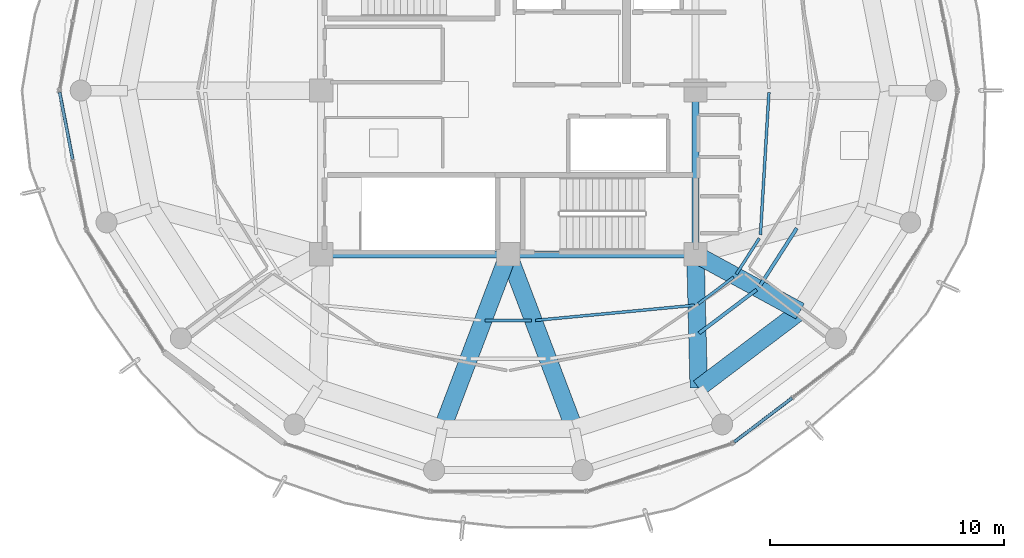
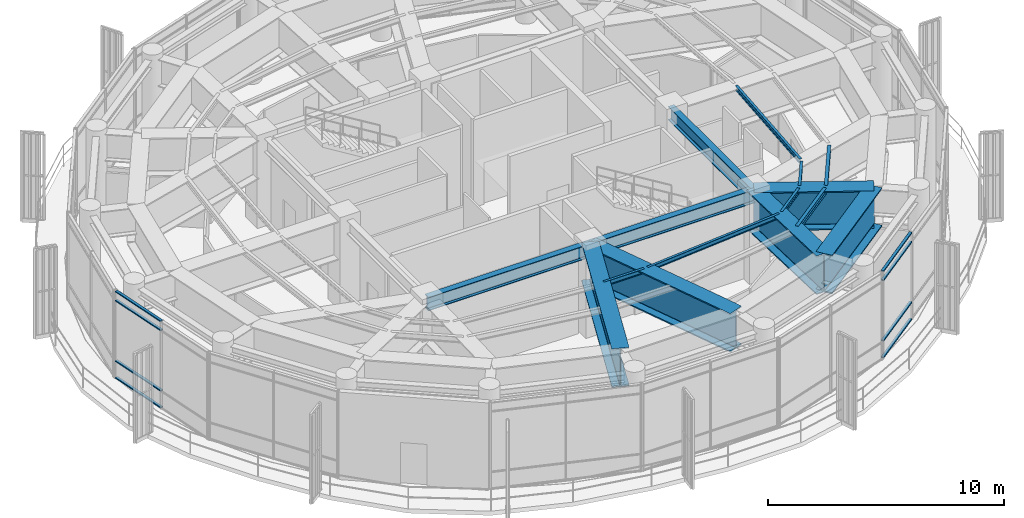
# One storey, part 6 of 23: 15 beams, 8 members, 2 elements without a shape of their own.
"""IFC4 building model written with IfcOpenShell, lengths in metres."""

from ifc_helpers import new_model, si_unit, direction, frame, origin, origin_2d, place, context, subcontext, project, spatial, hollow_rectangle, i_section, extrude, material, layer, layer_set, material_profile, profile_set, type_object, element, aggregate, save


model = new_model("IFC4")

# Units and contexts
model_context = context("Model", 3, precision=1e-05, world=origin(), true_north=direction((0.0, 1.0)))
body_context = subcontext(model_context, "Body", "Model", "MODEL_VIEW")
ifc_project = project(units=[si_unit("LENGTHUNIT", "METRE"), si_unit("AREAUNIT", "SQUARE_METRE"), si_unit("VOLUMEUNIT", "CUBIC_METRE"), si_unit("PLANEANGLEUNIT", "RADIAN"), si_unit("MASSUNIT", "GRAM", prefix="KILO")], contexts=[model_context])

# Site, building, storey
site_placement = place(None, origin())
site = spatial("IfcSite", under=ifc_project, at=site_placement, CompositionType="ELEMENT")
building_placement = place(site_placement, origin())
building = spatial("IfcBuilding", under=site, at=building_placement, Name="Kelanora Arch Commons", CompositionType="ELEMENT")
storey_placement = place(building_placement, frame((0.0, 0.0, 293.699951171875)))
storey = spatial("IfcBuildingStorey", under=building, at=storey_placement, Name="L75", CompositionType="ELEMENT", Elevation=293.699951171875)

# Beams
ifc_material_1 = material(Name="Steel S355", Category="steel")
ifc_material_profile_1 = material_profile(ifc_material_1, i_section(OverallWidth=0.300048828125, OverallDepth=0.699951171875, WebThickness=0.01708984375, FlangeThickness=0.031982421875, FilletRadius=0.027099609375, at=origin_2d()), Name="HEB700")
ifc_profile_set_1 = profile_set([ifc_material_profile_1], Name="Steel S355")
beam_type_1 = type_object("IfcBeamType", Name="BM-CORE-HDR", PredefinedType="BEAM", material=ifc_profile_set_1)
for number, where, z_axis, x_axis, name in (
    (1, (66.0, 51.0, 4.18994140625), (1.0, 0.0, 0.0), (0.0, 1.0, 0.0), "Core Header Beam 01 L75"),
    (2, (74.0, 51.0, 4.18994140625), (1.0, 0.0, 0.0), (0.0, 1.0, 0.0), "Core Header Beam 02 L75"),
):
    element("IfcBeam", number, at=place(storey_placement, frame(where, z_axis=z_axis, x_axis=x_axis)), inside=storey, type_object=beam_type_1, Name=name, PredefinedType="BEAM", context=body_context, shape_type="SweptSolid", body=[
        extrude(i_section(OverallWidth=0.300048828125, OverallDepth=0.699951171875, WebThickness=0.01708984375, FlangeThickness=0.031982421875, FilletRadius=0.027099609375, at=origin_2d()), origin(), (0.0, 0.0, 1.0), 8.0),
    ])
beam_1_placement = place(storey_placement, frame((82.0, 51.0, 4.18994140625), z_axis=(0.0, 1.0, 0.0), x_axis=(-1.0, 0.0, 0.0)))
element("IfcBeam", 3, at=beam_1_placement, inside=storey, type_object=beam_type_1, Name="Core Header Beam 03 L75", PredefinedType="BEAM", context=body_context, shape_type="SweptSolid", body=[
    extrude(i_section(OverallWidth=0.300048828125, OverallDepth=0.699951171875, WebThickness=0.01708984375, FlangeThickness=0.031982421875, FilletRadius=0.027099609375, at=origin_2d()), origin(), (0.0, 0.0, 1.0), 7.0),
])
ifc_material_profile_2 = material_profile(ifc_material_1, i_section(OverallWidth=0.14990234375, OverallDepth=0.300048828125, WebThickness=0.007080078125, FlangeThickness=0.0107421875, FilletRadius=0.014892578125, at=origin_2d()), Name="IPE300")
ifc_profile_set_2 = profile_set([ifc_material_profile_2], Name="Steel S355")
beam_type_2 = type_object("IfcBeamType", Name="BM-JST-01", PredefinedType="JOIST", material=ifc_profile_set_2)
beam_2_placement = place(storey_placement, frame((82.15185546875, 47.623291015625, 4.39013671875), z_axis=(0.797441333972, 0.603396485632, 0.0), x_axis=(-0.603396485632, 0.797441333972, 0.0)))
element("IfcBeam", 4, at=beam_2_placement, inside=storey, type_object=beam_type_2, Name="Secondary Chord Joist BJB-30 L75", PredefinedType="JOIST", context=body_context, shape_type="SweptSolid", body=[
    extrude(i_section(OverallWidth=0.14990234375, OverallDepth=0.300048828125, WebThickness=0.007080078125, FlangeThickness=0.0107421875, FilletRadius=0.014892578125, at=origin_2d()), origin(), (0.0, 0.0, 1.0), 3.0888671875),
])
beam_3_placement = place(storey_placement, frame((84.728515625, 49.60986328125, 4.39013671875), z_axis=(0.539193378054, 0.84218198809, 0.0), x_axis=(-0.84218198809, 0.539193378054, 0.0)))
element("IfcBeam", 5, at=beam_3_placement, inside=storey, type_object=beam_type_2, Name="Secondary Chord Joist BJB-32 L75", PredefinedType="JOIST", context=body_context, shape_type="SweptSolid", body=[
    extrude(i_section(OverallWidth=0.14990234375, OverallDepth=0.300048828125, WebThickness=0.007080078125, FlangeThickness=0.0107421875, FilletRadius=0.014892578125, at=origin_2d()), origin(), (0.0, 0.0, 1.0), 2.975830078125),
])
ifc_material_profile_3 = material_profile(ifc_material_1, i_section(OverallWidth=0.1201171875, OverallDepth=0.239990234375, WebThickness=0.006103515625, FlangeThickness=0.009765625, FilletRadius=0.014892578125, at=origin_2d()), Name="IPE240")
ifc_profile_set_3 = profile_set([ifc_material_profile_3], Name="Steel S355")
beam_type_3 = type_object("IfcBeamType", Name="BM-JST-02", PredefinedType="JOIST", material=ifc_profile_set_3)
beam_4_placement = place(storey_placement, frame((73.0107421875, 48.166259765625, 4.420166015625), z_axis=(1.0, 0.0, 0.0), x_axis=(0.0, 1.0, 0.0)))
element("IfcBeam", 6, at=beam_4_placement, inside=storey, type_object=beam_type_3, Name="Secondary Chord Joist BJA-26 L75", PredefinedType="JOIST", context=body_context, shape_type="SweptSolid", body=[
    extrude(i_section(OverallWidth=0.1201171875, OverallDepth=0.239990234375, WebThickness=0.006103515625, FlangeThickness=0.009765625, FilletRadius=0.014892578125, at=origin_2d()), origin(), (0.0, 0.0, 1.0), 1.978515625),
])
beam_5_placement = place(storey_placement, frame((75.158935546875, 48.17431640625, 4.420166015625), z_axis=(0.995523661296, 0.094512643594, 0.0), x_axis=(-0.094512643594, 0.995523661296, 0.0)))
element("IfcBeam", 7, at=beam_5_placement, inside=storey, type_object=beam_type_3, Name="Secondary Chord Joist BJA-28 L75", PredefinedType="JOIST", context=body_context, shape_type="SweptSolid", body=[
    extrude(i_section(OverallWidth=0.1201171875, OverallDepth=0.239990234375, WebThickness=0.006103515625, FlangeThickness=0.009765625, FilletRadius=0.014892578125, at=origin_2d()), origin(), (0.0, 0.0, 1.0), 6.840087890625),
])
beam_6_placement = place(storey_placement, frame((82.12109375, 48.880126953125, 4.420166015625), z_axis=(0.797424826317, 0.603418301324, 0.0), x_axis=(-0.603418301324, 0.797424826317, 0.0)))
element("IfcBeam", 8, at=beam_6_placement, inside=storey, type_object=beam_type_3, Name="Secondary Chord Joist BJA-30 L75", PredefinedType="JOIST", context=body_context, shape_type="SweptSolid", body=[
    extrude(i_section(OverallWidth=0.1201171875, OverallDepth=0.239990234375, WebThickness=0.006103515625, FlangeThickness=0.009765625, FilletRadius=0.014892578125, at=origin_2d()), origin(), (0.0, 0.0, 1.0), 1.893798828125),
])
beam_7_placement = place(storey_placement, frame((83.744873046875, 50.14599609375, 4.420166015625), z_axis=(0.539300812993, 0.842113194947, 0.0), x_axis=(-0.842113194947, 0.539300812993, 0.0)))
element("IfcBeam", 9, at=beam_7_placement, inside=storey, type_object=beam_type_3, Name="Secondary Chord Joist BJA-32 L75", PredefinedType="JOIST", context=body_context, shape_type="SweptSolid", body=[
    extrude(i_section(OverallWidth=0.1201171875, OverallDepth=0.239990234375, WebThickness=0.006103515625, FlangeThickness=0.009765625, FilletRadius=0.014892578125, at=origin_2d()), origin(), (0.0, 0.0, 1.0), 1.822021484375),
])
beam_8_placement = place(storey_placement, frame((84.7783203125, 51.8369140625, 4.420166015625), z_axis=(0.059619828045, 0.998221155909, 0.0), x_axis=(-0.998221155909, 0.059619828045, 0.0)))
element("IfcBeam", 10, at=beam_8_placement, inside=storey, type_object=beam_type_3, Name="Secondary Chord Joist BJA-34 L75", PredefinedType="JOIST", context=body_context, shape_type="SweptSolid", body=[
    extrude(i_section(OverallWidth=0.1201171875, OverallDepth=0.239990234375, WebThickness=0.006103515625, FlangeThickness=0.009765625, FilletRadius=0.014892578125, at=origin_2d()), origin(), (0.0, 0.0, 1.0), 6.089111328125),
])
ifc_material_profile_4 = material_profile(ifc_material_1, i_section(OverallWidth=0.75, OverallDepth=2.0, WebThickness=0.034912109375, FlangeThickness=0.06005859375, FilletRadius=0.028076171875, at=origin_2d()), Name="PG2000x750")
ifc_profile_set_4 = profile_set([ifc_material_profile_4], Name="Steel S355")
beam_type_4 = type_object("IfcBeamType", Name="BM-XFER-SET", PredefinedType="USERDEFINED", material=ifc_profile_set_4)
for number, where, z_axis, x_axis, name in (
    (11, (74.0, 51.0, 3.5400390625), (-0.354476114465, -0.93506506954, 0.0), (0.93506506954, -0.354476114465, 0.0), "Setback Radial Transfer Girder BRI-26 L75"),
    (12, (74.0, 51.0, 3.5400390625), (0.354476114465, -0.93506506954, 0.0), (0.93506506954, 0.354476114465, 0.0), "Setback Radial Transfer Girder BRI-28 L75"),
):
    element("IfcBeam", number, at=place(storey_placement, frame(where, z_axis=z_axis, x_axis=x_axis)), inside=storey, type_object=beam_type_4, Name=name, ObjectType="TRANSFER_GIRDER", PredefinedType="USERDEFINED", context=body_context, shape_type="SweptSolid", body=[
        extrude(i_section(OverallWidth=0.75, OverallDepth=2.0, WebThickness=0.034912109375, FlangeThickness=0.06005859375, FilletRadius=0.028076171875, at=origin_2d()), origin(), (0.0, 0.0, 1.0), 7.974853515625),
    ])
beam_9_placement = place(storey_placement, frame((82.0, 51.0, 3.5400390625), z_axis=(0.0244777504, -0.99970037498, 0.0), x_axis=(0.99970037498, 0.0244777504, 0.0)))
element("IfcBeam", 13, at=beam_9_placement, inside=storey, type_object=beam_type_4, Name="Setback Radial Transfer Girder BRI-30 L75", ObjectType="TRANSFER_GIRDER", PredefinedType="USERDEFINED", context=body_context, shape_type="SweptSolid", body=[
    extrude(i_section(OverallWidth=0.75, OverallDepth=2.0, WebThickness=0.034912109375, FlangeThickness=0.06005859375, FilletRadius=0.028076171875, at=origin_2d()), origin(), (0.0, 0.0, 1.0), 5.715087890625),
])
beam_10_placement = place(storey_placement, frame((82.0, 51.0, 3.5400390625), z_axis=(0.878126355987, -0.478428785631, 0.0), x_axis=(0.478428785631, 0.878126355987, 0.0)))
element("IfcBeam", 14, at=beam_10_placement, inside=storey, type_object=beam_type_4, Name="Setback Radial Transfer Girder BRI-32 L75", ObjectType="TRANSFER_GIRDER", PredefinedType="USERDEFINED", context=body_context, shape_type="SweptSolid", body=[
    extrude(i_section(OverallWidth=0.75, OverallDepth=2.0, WebThickness=0.034912109375, FlangeThickness=0.06005859375, FilletRadius=0.028076171875, at=origin_2d()), origin(), (0.0, 0.0, 1.0), 5.091796875),
])
beam_11_placement = place(storey_placement, frame((82.139892578125, 45.28662109375, 3.5400390625), z_axis=(0.797441458309, 0.603396321309, 0.0), x_axis=(-0.603396321309, 0.797441458309, 0.0)))
element("IfcBeam", 15, at=beam_11_placement, inside=storey, type_object=beam_type_4, Name="Setback Inner Transfer Ring BSI-30 L75", ObjectType="TRANSFER_GIRDER", PredefinedType="USERDEFINED", context=body_context, shape_type="SweptSolid", body=[
    extrude(i_section(OverallWidth=0.75, OverallDepth=2.0, WebThickness=0.034912109375, FlangeThickness=0.06005859375, FilletRadius=0.028076171875, at=origin_2d()), origin(), (0.0, 0.0, 1.0), 5.431396484375),
])

# Curtain wall, members
ifc_material_2 = material(Name="Terracotta ceramic-fritted low-E glass and aluminium", Category="masonry")
ifc_layer = layer(ifc_material_2, 0.22509765625)
ifc_layer_set = layer_set([ifc_layer], Name="Terracotta ceramic-fritted low-E glass and aluminium")
curtain_wall_type = type_object("IfcCurtainWallType", Name="CW-SYS-05", PredefinedType="NOTDEFINED", material=ifc_layer_set)
curtain_wall_1_placement = place(storey_placement, origin())
curtain_wall_1 = element("IfcCurtainWall", 16, at=curtain_wall_1_placement, inside=storey, type_object=curtain_wall_type, Name="Unitised Curtain Wall L75-B09", PredefinedType="NOTDEFINED")
ifc_material_3 = material(Name="Powder-coated aluminium terracotta", Category="masonry")
ifc_material_profile_5 = material_profile(ifc_material_3, hollow_rectangle(XDim=0.139892578125, YDim=0.06005859375, WallThickness=0.0048828125, InnerFilletRadius=0.0048828125, OuterFilletRadius=0.010009765625, at=origin_2d()), Name="CWT140x60")
ifc_profile_set_5 = profile_set([ifc_material_profile_5], Name="Powder-coated aluminium terracotta")
member_type = type_object("IfcMemberType", Name="CWT-HVY", PredefinedType="USERDEFINED", material=ifc_profile_set_5)
member_1_placement = place(storey_placement, frame((54.814453125, 57.926513671875, 0.030029296875), z_axis=(0.190963443354, -0.981597149192, 0.0), x_axis=(0.981597149192, 0.190963443354, 0.0)))
member_1 = element("IfcMember", 17, at=member_1_placement, type_object=member_type, Name="CW-05 transom 1.1", ObjectType="TRANSOM", PredefinedType="USERDEFINED", context=body_context, shape_type="SweptSolid", body=[
    extrude(hollow_rectangle(XDim=0.139892578125, YDim=0.06005859375, WallThickness=0.0048828125, InnerFilletRadius=0.0048828125, OuterFilletRadius=0.010009765625, at=origin_2d()), origin(), (0.0, 0.0, 1.0), 2.926513671875),
])
member_2_placement = place(storey_placement, frame((54.814453125, 57.926513671875, 0.900146484375), z_axis=(0.190963443354, -0.981597149192, 0.0), x_axis=(0.981597149192, 0.190963443354, 0.0)))
member_2 = element("IfcMember", 18, at=member_2_placement, type_object=member_type, Name="CW-05 transom 1.2", ObjectType="TRANSOM", PredefinedType="USERDEFINED", context=body_context, shape_type="SweptSolid", body=[
    extrude(hollow_rectangle(XDim=0.139892578125, YDim=0.06005859375, WallThickness=0.0048828125, InnerFilletRadius=0.0048828125, OuterFilletRadius=0.010009765625, at=origin_2d()), origin(), (0.0, 0.0, 1.0), 2.926513671875),
])
member_3_placement = place(storey_placement, frame((54.814453125, 57.926513671875, 4.025146484375), z_axis=(0.190963443354, -0.981597149192, 0.0), x_axis=(0.981597149192, 0.190963443354, 0.0)))
member_3 = element("IfcMember", 19, at=member_3_placement, type_object=member_type, Name="CW-05 transom 1.3", ObjectType="TRANSOM", PredefinedType="USERDEFINED", context=body_context, shape_type="SweptSolid", body=[
    extrude(hollow_rectangle(XDim=0.139892578125, YDim=0.06005859375, WallThickness=0.0048828125, InnerFilletRadius=0.0048828125, OuterFilletRadius=0.010009765625, at=origin_2d()), origin(), (0.0, 0.0, 1.0), 2.926513671875),
])
member_4_placement = place(storey_placement, frame((54.814453125, 57.926513671875, 4.4951171875), z_axis=(0.190963443354, -0.981597149192, 0.0), x_axis=(0.981597149192, 0.190963443354, 0.0)))
member_4 = element("IfcMember", 20, at=member_4_placement, type_object=member_type, Name="CW-05 transom 1.4", ObjectType="TRANSOM", PredefinedType="USERDEFINED", context=body_context, shape_type="SweptSolid", body=[
    extrude(hollow_rectangle(XDim=0.139892578125, YDim=0.06005859375, WallThickness=0.0048828125, InnerFilletRadius=0.0048828125, OuterFilletRadius=0.010009765625, at=origin_2d()), origin(), (0.0, 0.0, 1.0), 2.926513671875),
])
aggregate(curtain_wall_1, [member_1, member_2, member_3, member_4])

curtain_wall_2_placement = place(storey_placement, origin())
curtain_wall_2 = element("IfcCurtainWall", 21, at=curtain_wall_2_placement, inside=storey, type_object=curtain_wall_type, Name="Unitised Curtain Wall L75-B15", PredefinedType="NOTDEFINED")
member_5_placement = place(storey_placement, frame((83.65966796875, 42.9765625, 0.030029296875), z_axis=(0.795989358686, 0.605310615188, 0.0), x_axis=(-0.605310615188, 0.795989358686, 0.0)))
member_5 = element("IfcMember", 22, at=member_5_placement, type_object=member_type, Name="CW-05 transom 1.1", ObjectType="TRANSOM", PredefinedType="USERDEFINED", context=body_context, shape_type="SweptSolid", body=[
    extrude(hollow_rectangle(XDim=0.139892578125, YDim=0.06005859375, WallThickness=0.0048828125, InnerFilletRadius=0.0048828125, OuterFilletRadius=0.010009765625, at=origin_2d()), origin(), (0.0, 0.0, 1.0), 3.103515625),
])
member_6_placement = place(storey_placement, frame((83.65966796875, 42.9765625, 0.900146484375), z_axis=(0.795989358686, 0.605310615188, 0.0), x_axis=(-0.605310615188, 0.795989358686, 0.0)))
member_6 = element("IfcMember", 23, at=member_6_placement, type_object=member_type, Name="CW-05 transom 1.2", ObjectType="TRANSOM", PredefinedType="USERDEFINED", context=body_context, shape_type="SweptSolid", body=[
    extrude(hollow_rectangle(XDim=0.139892578125, YDim=0.06005859375, WallThickness=0.0048828125, InnerFilletRadius=0.0048828125, OuterFilletRadius=0.010009765625, at=origin_2d()), origin(), (0.0, 0.0, 1.0), 3.103515625),
])
member_7_placement = place(storey_placement, frame((83.65966796875, 42.9765625, 4.025146484375), z_axis=(0.795989358686, 0.605310615188, 0.0), x_axis=(-0.605310615188, 0.795989358686, 0.0)))
member_7 = element("IfcMember", 24, at=member_7_placement, type_object=member_type, Name="CW-05 transom 1.3", ObjectType="TRANSOM", PredefinedType="USERDEFINED", context=body_context, shape_type="SweptSolid", body=[
    extrude(hollow_rectangle(XDim=0.139892578125, YDim=0.06005859375, WallThickness=0.0048828125, InnerFilletRadius=0.0048828125, OuterFilletRadius=0.010009765625, at=origin_2d()), origin(), (0.0, 0.0, 1.0), 3.103515625),
])
member_8_placement = place(storey_placement, frame((83.65966796875, 42.9765625, 4.4951171875), z_axis=(0.795989358686, 0.605310615188, 0.0), x_axis=(-0.605310615188, 0.795989358686, 0.0)))
member_8 = element("IfcMember", 25, at=member_8_placement, type_object=member_type, Name="CW-05 transom 1.4", ObjectType="TRANSOM", PredefinedType="USERDEFINED", context=body_context, shape_type="SweptSolid", body=[
    extrude(hollow_rectangle(XDim=0.139892578125, YDim=0.06005859375, WallThickness=0.0048828125, InnerFilletRadius=0.0048828125, OuterFilletRadius=0.010009765625, at=origin_2d()), origin(), (0.0, 0.0, 1.0), 3.103515625),
])
aggregate(curtain_wall_2, [member_5, member_6, member_7, member_8])

save(model, "model.ifc")
